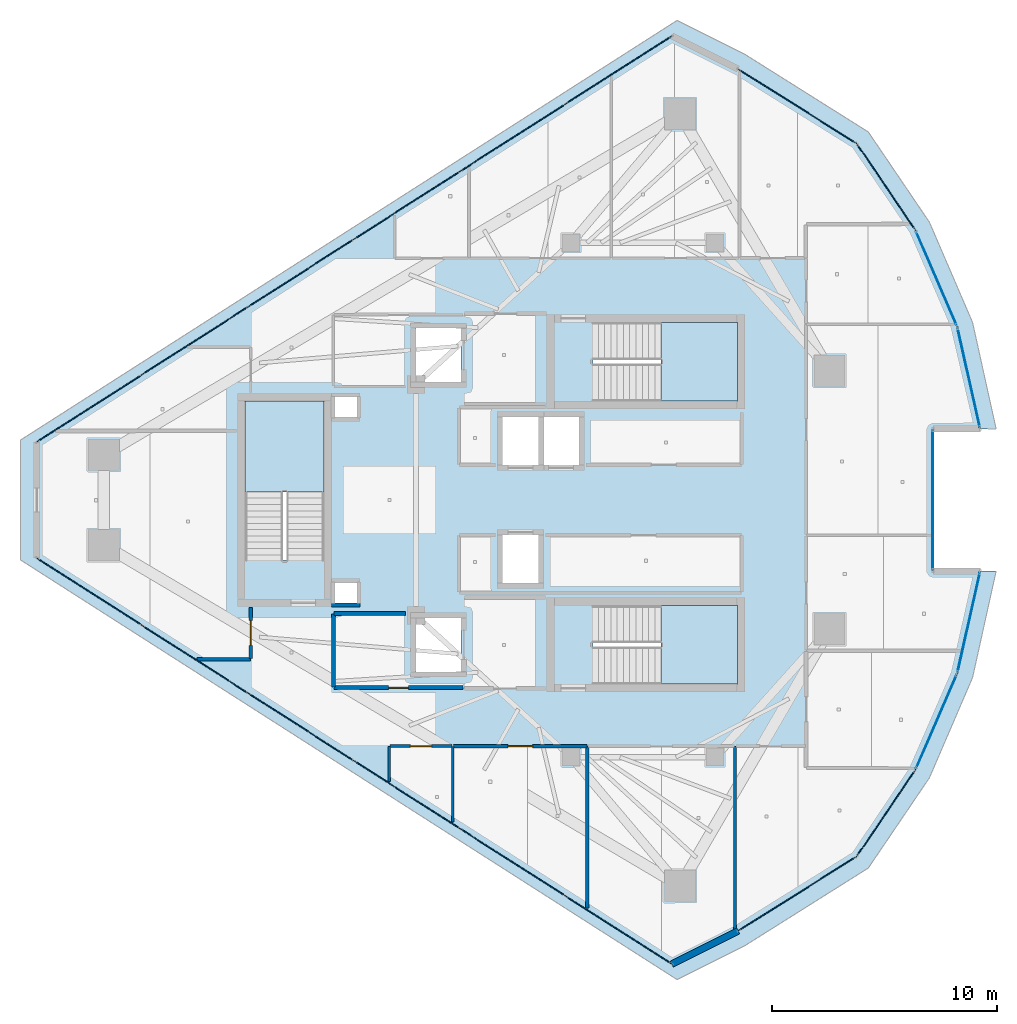
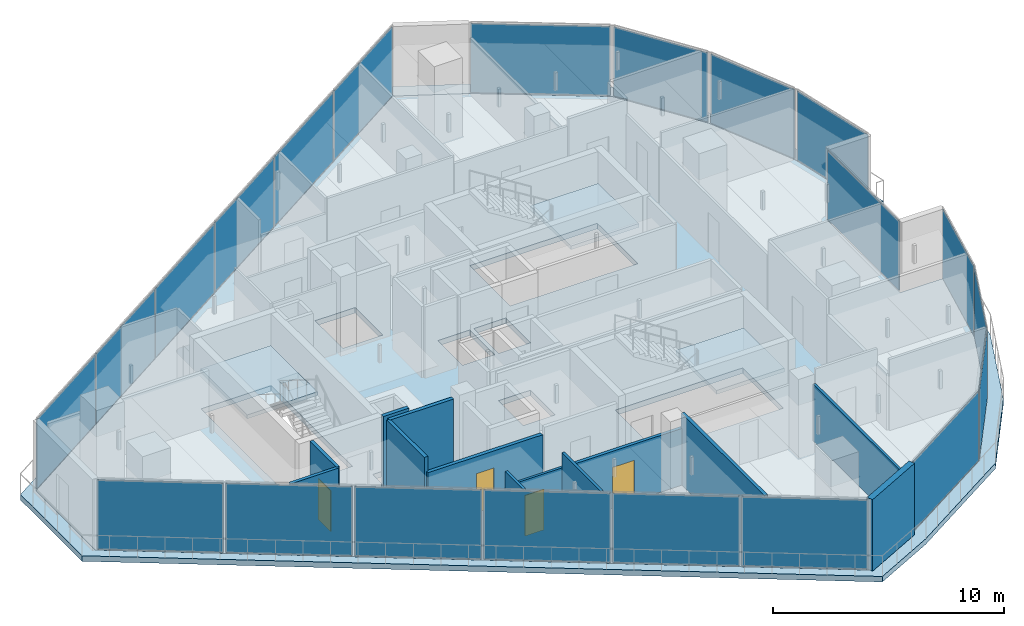
# One storey, part 17 of 26: 21 plates, 13 walls, 5 slabs, 4 doors, 4 openings, 14 elements without a shape of their own.
"""IFC4 building model written with IfcOpenShell, lengths in metres."""

import ifcopenshell
import ifcopenshell.guid

model = None  # the IFC model being written
_history = None  # IfcOwnerHistory: only IFC2X3 demands one
_inside = {}  # id of a spatial element -> (the spatial element, [elements in it])
_under = {}  # id of a project, library or spatial element -> (it, [spatial elements below it])
_declared = {}  # id of a project -> (the project, [libraries it declares])
_typed = {}  # id of a type object -> (the type object, [elements of that type])
_made_of = {}  # id of a material, layer set ... -> (it, [elements and type objects made of it])


def new_model(schema):
    """Start an empty IFC model of exactly this schema.

    Asked for "IFC4X3", IfcOpenShell would pick the latest addendum, in which some entities
    have other attributes; the version numbers below select the first issue.
    IFC2X3 requires an IfcOwnerHistory on every rooted entity: one is made here for all.
    """
    global model, _history
    if schema == "IFC4X3":
        model = ifcopenshell.file(schema_version=(4, 3, 0, 0))
    else:
        model = ifcopenshell.file(schema=schema)
    _inside.clear()
    _under.clear()
    _declared.clear()
    _typed.clear()
    _made_of.clear()
    _history = None
    if model.schema == "IFC2X3":
        org = make("IfcOrganization", Name="unknown")
        user = make(
            "IfcPersonAndOrganization",
            ThePerson=make("IfcPerson", FamilyName="unknown"),
            TheOrganization=org,
        )
        app = make(
            "IfcApplication",
            ApplicationDeveloper=org,
            Version="unknown",
            ApplicationFullName="unknown",
            ApplicationIdentifier="unknown",
        )
        _history = make(
            "IfcOwnerHistory",
            OwningUser=user,
            OwningApplication=app,
            ChangeAction="ADDED",
            CreationDate=0,
        )
    return model


def make(cls, **values):
    """One entity of the class cls with the attributes given. An attribute that is None is left unset."""
    return model.create_entity(
        cls, **{name: value for name, value in values.items() if value is not None}
    )


def rooted(cls, **values):
    """An entity with a GlobalId (a new one), such as an element, a storey or a relation."""
    return make(cls, GlobalId=ifcopenshell.guid.new(), OwnerHistory=_history, **values)


def si_unit(unit_type, name, prefix=None):
    """IfcSIUnit, for example si_unit("LENGTHUNIT", "METRE", prefix="MILLI")."""
    return make("IfcSIUnit", UnitType=unit_type, Prefix=prefix, Name=name)


def assignment(units):
    """IfcUnitAssignment: the units of a project."""
    return None if units is None else make("IfcUnitAssignment", Units=units)


def point(xyz):
    """IfcCartesianPoint."""
    return None if xyz is None else make("IfcCartesianPoint", Coordinates=xyz)


def direction(xyz):
    """IfcDirection."""
    return None if xyz is None else make("IfcDirection", DirectionRatios=xyz)


def frame(location, z_axis=None, x_axis=None):
    """IfcAxis2Placement3D, a coordinate frame: its origin and axes. An axis left out is left unset."""
    return make(
        "IfcAxis2Placement3D",
        Location=point(location),
        Axis=direction(z_axis),
        RefDirection=direction(x_axis),
    )


def frame_2d(location, x_axis=None):
    """IfcAxis2Placement2D, a coordinate frame in the plane: its origin and x axis."""
    return make(
        "IfcAxis2Placement2D", Location=point(location), RefDirection=direction(x_axis)
    )


def origin():
    """The frame at (0, 0, 0) with its axes left unset."""
    return frame((0.0, 0.0, 0.0))


def origin_2d():
    """The frame at (0, 0) in the plane with its x axis left unset."""
    return frame_2d((0.0, 0.0))


def place(relative_to, where):
    """IfcLocalPlacement: puts the frame where relative to a parent placement (None: the world)."""
    return make(
        "IfcLocalPlacement", PlacementRelTo=relative_to, RelativePlacement=where
    )


def context(
    kind, dimensions, precision=None, world=None, true_north=None, identifier=None
):
    """IfcGeometricRepresentationContext, for example the 3D "Model" context."""
    return make(
        "IfcGeometricRepresentationContext",
        ContextIdentifier=identifier,
        ContextType=kind,
        CoordinateSpaceDimension=dimensions,
        Precision=precision,
        WorldCoordinateSystem=world,
        TrueNorth=true_north,
    )


def subcontext(parent, identifier, kind, view, scale=None):
    """IfcGeometricRepresentationSubContext, for example "Body" below "Model"."""
    return make(
        "IfcGeometricRepresentationSubContext",
        ContextIdentifier=identifier,
        ContextType=kind,
        ParentContext=parent,
        TargetScale=scale,
        TargetView=view,
    )


def project(units=None, contexts=None):
    """IfcProject with its units and contexts."""
    return rooted(
        "IfcProject",
        Name="project",
        RepresentationContexts=contexts,
        UnitsInContext=assignment(units),
    )


def spatial(cls, under=None, at=None, **own):
    """A site, building, storey or space (cls), placed at a placement, below another one or the project."""
    s = rooted(cls, ObjectPlacement=at, **own)
    if under is not None:
        _under.setdefault(under.id(), (under, []))[1].append(s)
    return s


def polyline(points):
    """IfcPolyline through the points."""
    return make("IfcPolyline", Points=[point(p) for p in points])


def profile(cls, at=None, kind="AREA", **sizes):
    """A parametric profile (cls). Its sizes go by their IFC names, for example OverallWidth=200.0."""
    return make(cls, ProfileType=kind, Position=at, **sizes)


def rectangle(**sizes):
    """IfcRectangleProfileDef."""
    return profile("IfcRectangleProfileDef", **sizes)


def outline(outer, holes=None, kind="AREA"):
    """IfcArbitraryClosedProfileDef: a profile drawn as a closed curve; with holes, ...WithVoids."""
    if holes is None:
        return make("IfcArbitraryClosedProfileDef", ProfileType=kind, OuterCurve=outer)
    return make(
        "IfcArbitraryProfileDefWithVoids",
        ProfileType=kind,
        OuterCurve=outer,
        InnerCurves=holes,
    )


def extrude(swept, where, along, depth):
    """IfcExtrudedAreaSolid: the profile swept, set in the frame where, extruded along a direction by depth."""
    return make(
        "IfcExtrudedAreaSolid",
        SweptArea=swept,
        Position=where,
        ExtrudedDirection=direction(along),
        Depth=depth,
    )


def shape(context_of_items, identifier, shape_type, items):
    """IfcShapeRepresentation: the items that make up one representation, for example the "Body"."""
    return make(
        "IfcShapeRepresentation",
        ContextOfItems=context_of_items,
        RepresentationIdentifier=identifier,
        RepresentationType=shape_type,
        Items=items,
    )


def material(Name=None, Category=None):
    """IfcMaterial."""
    return make("IfcMaterial", Name=Name, Category=Category)


def layer(
    of_material, thickness, ventilated=None, Name=None, Category=None, Priority=None
):
    """IfcMaterialLayer: one layer of a wall or slab, of a material (None: an air gap)."""
    return make(
        "IfcMaterialLayer",
        Material=of_material,
        LayerThickness=thickness,
        IsVentilated=ventilated,
        Name=Name,
        Category=Category,
        Priority=Priority,
    )


def layer_set(layers, Name=None):
    """IfcMaterialLayerSet."""
    return make("IfcMaterialLayerSet", MaterialLayers=layers, LayerSetName=Name)


def made_of(thing, what):
    """Note that an element or type object is made of a material, layer set ...; save() writes the relation."""
    if what is not None:
        _made_of.setdefault(what.id(), (what, []))[1].append(thing)
    return thing


def type_object(cls, material=None, **own):
    """A type object (cls), such as IfcWallType, which elements share."""
    return made_of(rooted(cls, **own), material)


def element(
    cls,
    number,
    at=None,
    inside=None,
    cuts=None,
    type_object=None,
    material=None,
    context=None,
    identifier="Body",
    shape_type=None,
    held_by="IfcProductDefinitionShape",
    body=None,
    shapes=None,
    **own,
):
    """One element of the class cls, such as IfcWall. Its Tag is "e" and its number.

    at: its placement. inside: the storey or other place that contains it. cuts: it is an
    opening in that element (IfcRelVoidsElement). A single representation is given by context,
    identifier, shape_type and body (its items); several are given by shapes. held_by: the class
    of the entity that holds the representations. save() writes the other relations.
    """
    e = rooted(cls, Tag="e%d" % number, ObjectPlacement=at, **own)
    if body is not None:
        shapes = [shape(context, identifier, shape_type, body)]
    if shapes is not None:
        e.Representation = make(held_by, Representations=shapes)
    if inside is not None:
        _inside.setdefault(inside.id(), (inside, []))[1].append(e)
    if cuts is not None:
        rooted(
            "IfcRelVoidsElement", RelatingBuildingElement=cuts, RelatedOpeningElement=e
        )
    if type_object is not None:
        _typed.setdefault(type_object.id(), (type_object, []))[1].append(e)
    return made_of(e, material)


def fill(opening, filler):
    """IfcRelFillsElement: the door or window that sits in an opening."""
    return rooted(
        "IfcRelFillsElement",
        RelatingOpeningElement=opening,
        RelatedBuildingElement=filler,
    )


def aggregate(whole, parts):
    """IfcRelAggregates: a whole, such as a stair, and the parts it consists of."""
    return rooted("IfcRelAggregates", RelatingObject=whole, RelatedObjects=parts)


def save(model, path):
    """Write the relations noted so far, then the file.

    IfcRelAggregates (storeys below a building ...), IfcRelContainedInSpatialStructure (elements
    in a storey), IfcRelDefinesByType, IfcRelAssociatesMaterial and IfcRelDeclares: one each for
    every whole, place, type object, material and project.
    """
    for whole, parts in _under.values():
        aggregate(whole, parts)
    for where, things in _inside.values():
        rooted(
            "IfcRelContainedInSpatialStructure",
            RelatedElements=things,
            RelatingStructure=where,
        )
    for kind, things in _typed.values():
        rooted("IfcRelDefinesByType", RelatedObjects=things, RelatingType=kind)
    for what, things in _made_of.values():
        rooted("IfcRelAssociatesMaterial", RelatedObjects=things, RelatingMaterial=what)
    for by, libraries in _declared.values():
        rooted("IfcRelDeclares", RelatingContext=by, RelatedDefinitions=libraries)
    model.write(path)


model = new_model("IFC4")

# Units and contexts
model_context = context("Model", 3, precision=1e-05, world=origin(), true_north=direction((0.0, 1.0)))
body_context = subcontext(model_context, "Body", "Model", "MODEL_VIEW")
ifc_project = project(units=[si_unit("LENGTHUNIT", "METRE"), si_unit("AREAUNIT", "SQUARE_METRE"), si_unit("VOLUMEUNIT", "CUBIC_METRE"), si_unit("PLANEANGLEUNIT", "RADIAN"), si_unit("MASSUNIT", "GRAM", prefix="KILO")], contexts=[model_context])

# Site, building, storey
site_placement = place(None, origin())
site = spatial("IfcSite", under=ifc_project, at=site_placement, CompositionType="ELEMENT")
building_placement = place(site_placement, origin())
building = spatial("IfcBuilding", under=site, at=building_placement, Name="Qorvath Tower", CompositionType="ELEMENT")
storey_placement = place(building_placement, frame((0.0, 0.0, 322.800048828125)))
storey = spatial("IfcBuildingStorey", under=building, at=storey_placement, Name="L75", CompositionType="ELEMENT", Elevation=322.800048828125)

# Curtain wall, plates
ifc_material_1 = material(Name="Anodised aluminium and triple low-E glass", Category="aluminium")
ifc_layer_1 = layer(ifc_material_1, 0.179931640625)
ifc_layer_set_1 = layer_set([ifc_layer_1], Name="CW-SYS-4")
curtain_wall_type = type_object("IfcCurtainWallType", Name="CW-SYS-4", PredefinedType="NOTDEFINED", material=ifc_layer_set_1)
curtain_wall_1_placement = place(storey_placement, origin())
curtain_wall_1 = element("IfcCurtainWall", 1, at=curtain_wall_1_placement, inside=storey, type_object=curtain_wall_type, Name="Curtain Wall CW-4 CW-T-L75-2.1", PredefinedType="NOTDEFINED")
ifc_material_2 = material(Name="Acoustic laminated low-E glass", Category="glass")
ifc_layer_2 = layer(ifc_material_2, 0.0380859375)
ifc_layer_set_2 = layer_set([ifc_layer_2], Name="CWP-GLZ-38")
plate_type = type_object("IfcPlateType", Name="CWP-GLZ-38", PredefinedType="CURTAIN_PANEL", material=ifc_layer_set_2)
plate_1_placement = place(storey_placement, frame((-45.02099609375, -4.09814453125, 0.06494140625), z_axis=(0.0, 0.0, 1.0), x_axis=(0.842602743296, -0.538535622768, 0.0)))
plate_1 = element("IfcPlate", 2, at=plate_1_placement, type_object=plate_type, Name="CW-4 panel 1.1", PredefinedType="CURTAIN_PANEL", context=body_context, shape_type="SweptSolid", body=[
    extrude(rectangle(XDim=5.48095703125, YDim=0.0380859375, at=origin_2d()), origin(), (0.0, 0.0, 1.0), 3.650146484375),
])
plate_2_placement = place(storey_placement, frame((-40.32373046875, -7.100341796875, 0.06494140625), z_axis=(0.0, 0.0, 1.0), x_axis=(0.842602743296, -0.538535622768, 0.0)))
plate_2 = element("IfcPlate", 3, at=plate_2_placement, type_object=plate_type, Name="CW-4 panel 2.1", PredefinedType="CURTAIN_PANEL", context=body_context, shape_type="SweptSolid", body=[
    extrude(rectangle(XDim=5.5185546875, YDim=0.0380859375, at=origin_2d()), origin(), (0.0, 0.0, 1.0), 3.650146484375),
])
plate_3_placement = place(storey_placement, frame((-35.610595703125, -10.11279296875, 0.06494140625), z_axis=(0.0, 0.0, 1.0), x_axis=(0.842602743296, -0.538535622768, 0.0)))
plate_3 = element("IfcPlate", 4, at=plate_3_placement, type_object=plate_type, Name="CW-4 panel 3.1", PredefinedType="CURTAIN_PANEL", context=body_context, shape_type="SweptSolid", body=[
    extrude(rectangle(XDim=5.5185546875, YDim=0.0380859375, at=origin_2d()), origin(), (0.0, 0.0, 1.0), 3.650146484375),
])
plate_4_placement = place(storey_placement, frame((-30.8974609375, -13.125, 0.06494140625), z_axis=(0.0, 0.0, 1.0), x_axis=(0.842602743296, -0.538535622768, 0.0)))
plate_4 = element("IfcPlate", 5, at=plate_4_placement, type_object=plate_type, Name="CW-4 panel 4.1", PredefinedType="CURTAIN_PANEL", context=body_context, shape_type="SweptSolid", body=[
    extrude(rectangle(XDim=5.5185546875, YDim=0.0380859375, at=origin_2d()), origin(), (0.0, 0.0, 1.0), 3.650146484375),
])
plate_5_placement = place(storey_placement, frame((-26.184326171875, -16.137451171875, 0.06494140625), z_axis=(0.0, 0.0, 1.0), x_axis=(0.842602743296, -0.538535622768, 0.0)))
plate_5 = element("IfcPlate", 6, at=plate_5_placement, type_object=plate_type, Name="CW-4 panel 5.1", PredefinedType="CURTAIN_PANEL", context=body_context, shape_type="SweptSolid", body=[
    extrude(rectangle(XDim=5.5185546875, YDim=0.0380859375, at=origin_2d()), origin(), (0.0, 0.0, 1.0), 3.650146484375),
])
plate_6_placement = place(storey_placement, frame((-21.487060546875, -19.1396484375, 0.06494140625), z_axis=(0.0, 0.0, 1.0), x_axis=(0.842602743296, -0.538535622768, 0.0)))
plate_6 = element("IfcPlate", 7, at=plate_6_placement, type_object=plate_type, Name="CW-4 panel 6.1", PredefinedType="CURTAIN_PANEL", context=body_context, shape_type="SweptSolid", body=[
    extrude(rectangle(XDim=5.48095703125, YDim=0.0380859375, at=origin_2d()), origin(), (0.0, 0.0, 1.0), 3.650146484375),
])
aggregate(curtain_wall_1, [plate_1, plate_2, plate_3, plate_4, plate_5, plate_6])

# Curtain wall, plate
curtain_wall_2_placement = place(storey_placement, origin())
curtain_wall_2 = element("IfcCurtainWall", 8, at=curtain_wall_2_placement, inside=storey, type_object=curtain_wall_type, Name="Curtain Wall CW-4 CW-T-L75-4.1", PredefinedType="NOTDEFINED")
plate_7_placement = place(storey_placement, frame((-13.52880859375, -17.527587890625, 0.06494140625), z_axis=(0.0, 0.0, 1.0), x_axis=(0.847178241704, 0.531308786661, 0.0)))
plate_7 = element("IfcPlate", 9, at=plate_7_placement, type_object=plate_type, Name="CW-4 panel 1.1", PredefinedType="CURTAIN_PANEL", context=body_context, shape_type="SweptSolid", body=[
    extrude(rectangle(XDim=6.0712890625, YDim=0.0380859375, at=origin_2d()), origin(), (0.0, 0.0, 1.0), 3.650146484375),
])
aggregate(curtain_wall_2, [plate_7])

curtain_wall_3_placement = place(storey_placement, origin())
curtain_wall_3 = element("IfcCurtainWall", 10, at=curtain_wall_3_placement, inside=storey, type_object=curtain_wall_type, Name="Curtain Wall CW-4 CW-T-L75-5.1", PredefinedType="NOTDEFINED")
plate_8_placement = place(storey_placement, frame((-9.580810546875, -13.943603515625, 0.06494140625), z_axis=(0.0, 0.0, 1.0), x_axis=(0.56215775962, 0.827030019588, 0.0)))
plate_8 = element("IfcPlate", 11, at=plate_8_placement, type_object=plate_type, Name="CW-4 panel 1.1", PredefinedType="CURTAIN_PANEL", context=body_context, shape_type="SweptSolid", body=[
    extrude(rectangle(XDim=4.52099609375, YDim=0.0380859375, at=origin_2d()), origin(), (0.0, 0.0, 1.0), 3.650146484375),
])
aggregate(curtain_wall_3, [plate_8])

curtain_wall_4_placement = place(storey_placement, origin())
curtain_wall_4 = element("IfcCurtainWall", 12, at=curtain_wall_4_placement, inside=storey, type_object=curtain_wall_type, Name="Curtain Wall CW-4 CW-T-L75-6.1", PredefinedType="NOTDEFINED")
plate_9_placement = place(storey_placement, frame((-7.338623046875, -9.869384765625, 0.06494140625), z_axis=(0.0, 0.0, 1.0), x_axis=(0.397874188439, 0.917439987233, 0.0)))
plate_9 = element("IfcPlate", 13, at=plate_9_placement, type_object=plate_type, Name="CW-4 panel 1.1", PredefinedType="CURTAIN_PANEL", context=body_context, shape_type="SweptSolid", body=[
    extrude(rectangle(XDim=4.520751953125, YDim=0.0380859375, at=origin_2d()), origin(), (0.0, 0.0, 1.0), 3.650146484375),
])
aggregate(curtain_wall_4, [plate_9])

curtain_wall_5_placement = place(storey_placement, origin())
curtain_wall_5 = element("IfcCurtainWall", 14, at=curtain_wall_5_placement, inside=storey, type_object=curtain_wall_type, Name="Curtain Wall CW-4 CW-T-L75-7.1", PredefinedType="NOTDEFINED")
plate_10_placement = place(storey_placement, frame((-5.896484375, -5.4482421875, 0.06494140625), z_axis=(0.0, 0.0, 1.0), x_axis=(0.219633947805, 0.975582353762, 0.0)))
plate_10 = element("IfcPlate", 15, at=plate_10_placement, type_object=plate_type, Name="CW-4 panel 1.1", PredefinedType="CURTAIN_PANEL", context=body_context, shape_type="SweptSolid", body=[
    extrude(rectangle(XDim=4.52099609375, YDim=0.0380859375, at=origin_2d()), origin(), (0.0, 0.0, 1.0), 3.650146484375),
])
aggregate(curtain_wall_5, [plate_10])

curtain_wall_6_placement = place(storey_placement, origin())
curtain_wall_6 = element("IfcCurtainWall", 16, at=curtain_wall_6_placement, inside=storey, type_object=curtain_wall_type, Name="Curtain Wall CW-4 CW-T-L75-9.1", PredefinedType="NOTDEFINED")
plate_11_placement = place(storey_placement, frame((-7.496826171875, 0.0, 0.06494140625), z_axis=(0.0, 0.0, 1.0), x_axis=(0.0, 1.0, 0.0)))
plate_11 = element("IfcPlate", 17, at=plate_11_placement, type_object=plate_type, Name="CW-4 panel 1.1", PredefinedType="CURTAIN_PANEL", context=body_context, shape_type="SweptSolid", body=[
    extrude(rectangle(XDim=6.189697265625, YDim=0.0380859375, at=origin_2d()), origin(), (0.0, 0.0, 1.0), 3.650146484375),
])
aggregate(curtain_wall_6, [plate_11])

curtain_wall_7_placement = place(storey_placement, origin())
curtain_wall_7 = element("IfcCurtainWall", 18, at=curtain_wall_7_placement, inside=storey, type_object=curtain_wall_type, Name="Curtain Wall CW-4 CW-T-L75-11.1", PredefinedType="NOTDEFINED")
plate_12_placement = place(storey_placement, frame((-5.896484375, 5.4482421875, 0.06494140625), z_axis=(0.0, 0.0, 1.0), x_axis=(-0.219633947805, 0.975582353762, 0.0)))
plate_12 = element("IfcPlate", 19, at=plate_12_placement, type_object=plate_type, Name="CW-4 panel 1.1", PredefinedType="CURTAIN_PANEL", context=body_context, shape_type="SweptSolid", body=[
    extrude(rectangle(XDim=4.52099609375, YDim=0.0380859375, at=origin_2d()), origin(), (0.0, 0.0, 1.0), 3.650146484375),
])
aggregate(curtain_wall_7, [plate_12])

curtain_wall_8_placement = place(storey_placement, origin())
curtain_wall_8 = element("IfcCurtainWall", 20, at=curtain_wall_8_placement, inside=storey, type_object=curtain_wall_type, Name="Curtain Wall CW-4 CW-T-L75-12.1", PredefinedType="NOTDEFINED")
plate_13_placement = place(storey_placement, frame((-7.338623046875, 9.869384765625, 0.06494140625), z_axis=(0.0, 0.0, 1.0), x_axis=(-0.397874188439, 0.917439987233, 0.0)))
plate_13 = element("IfcPlate", 21, at=plate_13_placement, type_object=plate_type, Name="CW-4 panel 1.1", PredefinedType="CURTAIN_PANEL", context=body_context, shape_type="SweptSolid", body=[
    extrude(rectangle(XDim=4.520751953125, YDim=0.0380859375, at=origin_2d()), origin(), (0.0, 0.0, 1.0), 3.650146484375),
])
aggregate(curtain_wall_8, [plate_13])

curtain_wall_9_placement = place(storey_placement, origin())
curtain_wall_9 = element("IfcCurtainWall", 22, at=curtain_wall_9_placement, inside=storey, type_object=curtain_wall_type, Name="Curtain Wall CW-4 CW-T-L75-13.1", PredefinedType="NOTDEFINED")
plate_14_placement = place(storey_placement, frame((-9.580810546875, 13.943603515625, 0.06494140625), z_axis=(0.0, 0.0, 1.0), x_axis=(-0.56215775962, 0.827030019588, 0.0)))
plate_14 = element("IfcPlate", 23, at=plate_14_placement, type_object=plate_type, Name="CW-4 panel 1.1", PredefinedType="CURTAIN_PANEL", context=body_context, shape_type="SweptSolid", body=[
    extrude(rectangle(XDim=4.52099609375, YDim=0.0380859375, at=origin_2d()), origin(), (0.0, 0.0, 1.0), 3.650146484375),
])
aggregate(curtain_wall_9, [plate_14])

curtain_wall_10_placement = place(storey_placement, origin())
curtain_wall_10 = element("IfcCurtainWall", 24, at=curtain_wall_10_placement, inside=storey, type_object=curtain_wall_type, Name="Curtain Wall CW-4 CW-T-L75-14.1", PredefinedType="NOTDEFINED")
plate_15_placement = place(storey_placement, frame((-13.52880859375, 17.527587890625, 0.06494140625), z_axis=(0.0, 0.0, 1.0), x_axis=(-0.847178241704, 0.531308786661, 0.0)))
plate_15 = element("IfcPlate", 25, at=plate_15_placement, type_object=plate_type, Name="CW-4 panel 1.1", PredefinedType="CURTAIN_PANEL", context=body_context, shape_type="SweptSolid", body=[
    extrude(rectangle(XDim=6.0712890625, YDim=0.0380859375, at=origin_2d()), origin(), (0.0, 0.0, 1.0), 3.650146484375),
])
aggregate(curtain_wall_10, [plate_15])

# Curtain wall, plates
curtain_wall_11_placement = place(storey_placement, origin())
curtain_wall_11 = element("IfcCurtainWall", 26, at=curtain_wall_11_placement, inside=storey, type_object=curtain_wall_type, Name="Curtain Wall CW-4 CW-T-L75-16.1", PredefinedType="NOTDEFINED")
plate_16_placement = place(storey_placement, frame((-21.487060546875, 19.1396484375, 0.06494140625), z_axis=(0.0, 0.0, 1.0), x_axis=(-0.842602743296, -0.538535622768, 0.0)))
plate_16 = element("IfcPlate", 27, at=plate_16_placement, type_object=plate_type, Name="CW-4 panel 1.1", PredefinedType="CURTAIN_PANEL", context=body_context, shape_type="SweptSolid", body=[
    extrude(rectangle(XDim=5.48095703125, YDim=0.0380859375, at=origin_2d()), origin(), (0.0, 0.0, 1.0), 3.650146484375),
])
plate_17_placement = place(storey_placement, frame((-26.184326171875, 16.137451171875, 0.06494140625), z_axis=(0.0, 0.0, 1.0), x_axis=(-0.842602743296, -0.538535622768, 0.0)))
plate_17 = element("IfcPlate", 28, at=plate_17_placement, type_object=plate_type, Name="CW-4 panel 2.1", PredefinedType="CURTAIN_PANEL", context=body_context, shape_type="SweptSolid", body=[
    extrude(rectangle(XDim=5.5185546875, YDim=0.0380859375, at=origin_2d()), origin(), (0.0, 0.0, 1.0), 3.650146484375),
])
plate_18_placement = place(storey_placement, frame((-30.8974609375, 13.125, 0.06494140625), z_axis=(0.0, 0.0, 1.0), x_axis=(-0.842602743296, -0.538535622768, 0.0)))
plate_18 = element("IfcPlate", 29, at=plate_18_placement, type_object=plate_type, Name="CW-4 panel 3.1", PredefinedType="CURTAIN_PANEL", context=body_context, shape_type="SweptSolid", body=[
    extrude(rectangle(XDim=5.5185546875, YDim=0.0380859375, at=origin_2d()), origin(), (0.0, 0.0, 1.0), 3.650146484375),
])
plate_19_placement = place(storey_placement, frame((-35.610595703125, 10.11279296875, 0.06494140625), z_axis=(0.0, 0.0, 1.0), x_axis=(-0.842602743296, -0.538535622768, 0.0)))
plate_19 = element("IfcPlate", 30, at=plate_19_placement, type_object=plate_type, Name="CW-4 panel 4.1", PredefinedType="CURTAIN_PANEL", context=body_context, shape_type="SweptSolid", body=[
    extrude(rectangle(XDim=5.5185546875, YDim=0.0380859375, at=origin_2d()), origin(), (0.0, 0.0, 1.0), 3.650146484375),
])
plate_20_placement = place(storey_placement, frame((-40.32373046875, 7.100341796875, 0.06494140625), z_axis=(0.0, 0.0, 1.0), x_axis=(-0.842602743296, -0.538535622768, 0.0)))
plate_20 = element("IfcPlate", 31, at=plate_20_placement, type_object=plate_type, Name="CW-4 panel 5.1", PredefinedType="CURTAIN_PANEL", context=body_context, shape_type="SweptSolid", body=[
    extrude(rectangle(XDim=5.5185546875, YDim=0.0380859375, at=origin_2d()), origin(), (0.0, 0.0, 1.0), 3.650146484375),
])
plate_21_placement = place(storey_placement, frame((-45.02099609375, 4.09814453125, 0.06494140625), z_axis=(0.0, 0.0, 1.0), x_axis=(-0.842602743296, -0.538535622768, 0.0)))
plate_21 = element("IfcPlate", 32, at=plate_21_placement, type_object=plate_type, Name="CW-4 panel 6.1", PredefinedType="CURTAIN_PANEL", context=body_context, shape_type="SweptSolid", body=[
    extrude(rectangle(XDim=5.48095703125, YDim=0.0380859375, at=origin_2d()), origin(), (0.0, 0.0, 1.0), 3.650146484375),
])
aggregate(curtain_wall_11, [plate_16, plate_17, plate_18, plate_19, plate_20, plate_21])

# Slab
ifc_material_3 = material(Name="Concrete C50/60", Category="concrete")
ifc_layer_3 = layer(ifc_material_3, 0.2900390625)
ifc_layer_set_3 = layer_set([ifc_layer_3], Name="SL-EXEC-290")
slab_type_1 = type_object("IfcSlabType", Name="SL-EXEC-290", PredefinedType="FLOOR", material=ifc_layer_set_3)
slab_1_placement = place(storey_placement, frame((0.0, 0.0, -0.2900390625)))
element("IfcSlab", 33, at=slab_1_placement, inside=storey, type_object=slab_type_1, Name="Tower L75 Interior Floor Slab", PredefinedType="FLOOR", context=body_context, shape_type="SweptSolid", body=[
    extrude(outline(polyline([(-47.393310546875, 2.58203125), (-47.393310546875, -2.58203125), (-19.11474609375, -20.65576171875), (-16.1640625, -19.180419921875), (-10.8935546875, -15.875), (-8.267822265625, -12.011962890625), (-6.409423828125, -7.726806640625), (-5.383544921875, -3.169921875), (-7.496826171875, -3.169921875), (-7.496826171875, 3.169921875), (-5.383544921875, 3.169921875), (-6.409423828125, 7.726806640625), (-8.267822265625, 12.011962890625), (-10.8935546875, 15.875), (-16.1640625, 19.180419921875), (-19.11474609375, 20.65576171875), (-47.393310546875, 2.58203125)]), holes=[polyline([(-16.2451171875, -8.199951171875), (-22.625, -8.199951171875), (-22.625, -4.68994140625), (-16.2451171875, -4.68994140625), (-16.2451171875, -8.199951171875)]), polyline([(-22.625, 4.39990234375), (-22.625, 7.909912109375), (-16.2451171875, 7.909912109375), (-16.2451171875, 4.39990234375), (-22.625, 4.39990234375)]), polyline([(-23.25, 1.550048828125), (-24.85009765625, 1.550048828125), (-24.85009765625, 3.699951171875), (-23.25, 3.699951171875), (-23.25, 1.550048828125)]), polyline([(-26.64990234375, -3.699951171875), (-26.64990234375, -1.550048828125), (-25.050048828125, -1.550048828125), (-25.050048828125, -3.699951171875), (-26.64990234375, -3.699951171875)]), polyline([(-25.050048828125, 1.550048828125), (-26.64990234375, 1.550048828125), (-26.64990234375, 3.699951171875), (-25.050048828125, 3.699951171875), (-25.050048828125, 1.550048828125)]), polyline([(-28.5, -7.64990234375), (-30.5, -7.64990234375), (-30.5, -5.25), (-28.5, -5.25), (-28.5, -7.64990234375)]), polyline([(-30.5, 5.25), (-30.5, 7.64990234375), (-28.5, 7.64990234375), (-28.5, 5.25), (-30.5, 5.25)]), polyline([(-33.10009765625, -4.6201171875), (-34.14990234375, -4.6201171875), (-34.14990234375, -3.64990234375), (-33.10009765625, -3.64990234375), (-33.10009765625, -4.6201171875)]), polyline([(-33.10009765625, 3.64990234375), (-34.14990234375, 3.64990234375), (-34.14990234375, 4.6201171875), (-33.10009765625, 4.6201171875), (-33.10009765625, 3.64990234375)]), polyline([(-34.60009765625, -2.675048828125), (-38.110107421875, -2.675048828125), (-38.110107421875, 4.35498046875), (-34.60009765625, 4.35498046875), (-34.60009765625, -2.675048828125)])]), origin(), (0.0, 0.0, 1.0), 0.2900390625),
])

# Stair, slab
ifc_material_4 = material(Name="Concrete C50/60", Category="concrete")
stair_type = type_object("IfcStairType", Name="ST-H420", PredefinedType="HALF_TURN_STAIR", material=ifc_material_4)
stair_1_placement = place(storey_placement, origin())
stair_1 = element("IfcStair", 34, at=stair_1_placement, inside=storey, type_object=stair_type, Name="L75 Tower Exit Stair 1", PredefinedType="HALF_TURN_STAIR")
ifc_material_5 = material(Name="Concrete C50/60", Category="concrete")
ifc_layer_4 = layer(ifc_material_5, 0.199951171875)
ifc_layer_set_4 = layer_set([ifc_layer_4], Name="SL-LND-200")
slab_type_2 = type_object("IfcSlabType", Name="SL-LND-200", PredefinedType="LANDING", material=ifc_layer_set_4)
slab_2_placement = place(storey_placement, frame((0.0, 0.0, 1.89990234375)))
slab_2 = element("IfcSlab", 35, at=slab_2_placement, type_object=slab_type_2, Name="TS1 landing 1", PredefinedType="LANDING", context=body_context, shape_type="SweptSolid", body=[
    extrude(outline(polyline([(-19.590087890625, 4.39990234375), (-16.199951171875, 4.39990234375), (-16.199951171875, 7.909912109375), (-19.590087890625, 7.909912109375), (-19.590087890625, 4.39990234375)])), origin(), (0.0, 0.0, 1.0), 0.199951171875),
])
aggregate(stair_1, [slab_2])

stair_2_placement = place(storey_placement, origin())
stair_2 = element("IfcStair", 36, at=stair_2_placement, inside=storey, type_object=stair_type, Name="L75 Tower Exit Stair 2", PredefinedType="HALF_TURN_STAIR")
slab_3_placement = place(storey_placement, frame((0.0, 0.0, 1.89990234375)))
slab_3 = element("IfcSlab", 37, at=slab_3_placement, type_object=slab_type_2, Name="TS2 landing 1", PredefinedType="LANDING", context=body_context, shape_type="SweptSolid", body=[
    extrude(outline(polyline([(-19.590087890625, -8.199951171875), (-16.199951171875, -8.199951171875), (-16.199951171875, -4.68994140625), (-19.590087890625, -4.68994140625), (-19.590087890625, -8.199951171875)])), origin(), (0.0, 0.0, 1.0), 0.199951171875),
])
aggregate(stair_2, [slab_3])

stair_3_placement = place(storey_placement, origin())
stair_3 = element("IfcStair", 38, at=stair_3_placement, inside=storey, type_object=stair_type, Name="L75 Tower Exit Stair 3", PredefinedType="HALF_TURN_STAIR")
slab_4_placement = place(storey_placement, frame((0.0, 0.0, 1.89990234375)))
slab_4 = element("IfcSlab", 39, at=slab_4_placement, type_object=slab_type_2, Name="TS3 landing 1", PredefinedType="LANDING", context=body_context, shape_type="SweptSolid", body=[
    extrude(outline(polyline([(-34.60009765625, 0.360107421875), (-34.60009765625, 4.39990234375), (-38.110107421875, 4.39990234375), (-38.110107421875, 0.360107421875), (-34.60009765625, 0.360107421875)])), origin(), (0.0, 0.0, 1.0), 0.199951171875),
])
aggregate(stair_3, [slab_4])

# Slab
ifc_material_6 = material(Name="Precast concrete C45/55", Category="concrete")
ifc_layer_5 = layer(ifc_material_6, 0.2900390625)
ifc_layer_set_5 = layer_set([ifc_layer_5], Name="SL-LOG-290")
slab_type_3 = type_object("IfcSlabType", Name="SL-LOG-290", PredefinedType="FLOOR", material=ifc_layer_set_5)
slab_5_placement = place(storey_placement, frame((0.0, 0.0, -0.2900390625)))
element("IfcSlab", 40, at=slab_5_placement, inside=storey, type_object=slab_type_3, Name="Tower L75 Perimeter Loggia and Terrace Slab", PredefinedType="FLOOR", context=body_context, shape_type="SweptSolid", body=[
    extrude(outline(polyline([(-5.383544921875, -3.169921875), (-6.409423828125, -7.726806640625), (-8.267822265625, -12.011962890625), (-10.8935546875, -15.875), (-16.1640625, -19.180419921875), (-19.11474609375, -20.65576171875), (-47.393310546875, -2.58203125), (-47.393310546875, 2.58203125), (-19.11474609375, 20.65576171875), (-16.1640625, 19.180419921875), (-10.8935546875, 15.875), (-8.267822265625, 12.011962890625), (-6.409423828125, 7.726806640625), (-5.383544921875, 3.169921875), (-4.6796875, 3.169921875), (-5.728515625, 7.9091796875), (-7.648193359375, 12.367431640625), (-10.37060546875, 16.385986328125), (-15.83447265625, 19.822509765625), (-18.88427734375, 21.347412109375), (-48.10986328125, 2.66845703125), (-48.10986328125, -2.66845703125), (-18.88427734375, -21.347412109375), (-15.83447265625, -19.822509765625), (-10.37060546875, -16.385986328125), (-7.648193359375, -12.367431640625), (-5.728515625, -7.9091796875), (-4.6796875, -3.169921875), (-5.383544921875, -3.169921875)])), origin(), (0.0, 0.0, 1.0), 0.2900390625),
])

# Walls
ifc_material_7 = material(Name="Gypsum shaftliner on steel studs", Category="steel")
ifc_layer_6 = layer(ifc_material_7, 0.179931640625)
ifc_layer_set_6 = layer_set([ifc_layer_6], Name="FW-LOBBY")
wall_type_1 = type_object("IfcWallType", Name="FW-LOBBY", PredefinedType="PARTITIONING", material=ifc_layer_set_6)
wall_1_placement = place(storey_placement, frame((-32.989990234375, -4.675048828125, 0.0), z_axis=(0.0, 0.0, 1.0), x_axis=(-1.0, 0.0, 0.0)))
element("IfcWall", 41, at=wall_1_placement, inside=storey, type_object=wall_type_1, Name="MEP Riser Shaft Enclosure Wall S-L75-S", PredefinedType="PARTITIONING", context=body_context, shape_type="SweptSolid", body=[
    extrude(rectangle(XDim=1.27001953125, YDim=0.179931640625, at=frame_2d((0.635009765625, 0.0))), origin(), (0.0, 0.0, 1.0), 3.780029296875),
])
wall_2_placement = place(storey_placement, frame((-30.965087890625, -5.050048828125, 0.0), z_axis=(0.0, 0.0, 1.0), x_axis=(-1.0, 0.0, 0.0)))
element("IfcWall", 42, at=wall_2_placement, inside=storey, type_object=wall_type_1, Name="Interior Partition IW-T1-L75-018", PredefinedType="PARTITIONING", context=body_context, shape_type="SweptSolid", body=[
    extrude(rectangle(XDim=3.189697265625, YDim=0.179931640625, at=frame_2d((1.5947265625, 0.0))), origin(), (0.0, 0.0, 1.0), 3.780029296875),
])
wall_3_placement = place(storey_placement, frame((-34.179931640625, -5.074951171875, 0.0), z_axis=(0.0, 0.0, 1.0), x_axis=(0.0, -1.0, 0.0)))
element("IfcWall", 43, at=wall_3_placement, inside=storey, type_object=wall_type_1, Name="Interior Partition IW-T1-L75-019", PredefinedType="PARTITIONING", context=body_context, shape_type="SweptSolid", body=[
    extrude(rectangle(XDim=3.250244140625, YDim=0.179931640625, at=frame_2d((1.625, 0.0))), origin(), (0.0, 0.0, 1.0), 3.780029296875),
])

# Wall, opening, door
wall_4_placement = place(storey_placement, frame((-34.15478515625, -8.35009765625, 0.0), z_axis=(0.0, 0.0, 1.0), x_axis=(1.0, 0.0, 0.0)))
wall_4 = element("IfcWall", 44, at=wall_4_placement, inside=storey, type_object=wall_type_1, Name="Interior Partition IW-T1-L75-020", PredefinedType="PARTITIONING", context=body_context, shape_type="SweptSolid", body=[
    extrude(rectangle(XDim=5.741943359375, YDim=0.179931640625, at=frame_2d((2.87109375, 0.0))), origin(), (0.0, 0.0, 1.0), 3.0),
])
opening_1_placement = place(wall_4_placement, frame((2.430908203125, 0.0, 0.0)))
opening_1 = element("IfcOpeningElement", 45, at=opening_1_placement, cuts=wall_4, Name="Opening D-T1-L75-06", PredefinedType="OPENING", context=body_context, shape_type="SweptSolid", body=[
    extrude(rectangle(XDim=0.8798828125, YDim=2.10009765625, at=frame_2d((0.43994140625, 1.050048828125))), frame((0.0, 0.10009765625, 0.0), z_axis=(0.0, -1.0, 0.0), x_axis=(1.0, 0.0, 0.0)), (0.0, 0.0, 1.0), 0.199951171875),
])
ifc_material_8 = material(Name="Painted galvanised hollow metal", Category="steel")
door_type_1 = type_object("IfcDoorType", Name="FD-60N", OperationType="NOTDEFINED", PredefinedType="DOOR", material=ifc_material_8)
door_1_placement = place(opening_1_placement, origin())
door_1 = element("IfcDoor", 46, at=door_1_placement, inside=storey, type_object=door_type_1, Name="Core electrical and cleaner room L75 Door D-T1-L75-06", OperationType="SINGLE_SWING_RIGHT", OverallHeight=2.10009765625, OverallWidth=0.8798828125, PredefinedType="DOOR", context=body_context, shape_type="SweptSolid", body=[
    extrude(rectangle(XDim=0.8798828125, YDim=2.10009765625, at=frame_2d((0.43994140625, 1.050048828125))), frame((0.0, 0.02490234375, 0.0), z_axis=(0.0, -1.0, 0.0), x_axis=(1.0, 0.0, 0.0)), (0.0, 0.0, 1.0), 0.050048828125),
])
fill(opening_1, door_1)

ifc_material_9 = material(Name="Double acoustic gypsum board on steel studs", Category="steel")
ifc_layer_7 = layer(ifc_material_9, 0.159912109375)
ifc_layer_set_7 = layer_set([ifc_layer_7], Name="IW-ACOUSTIC-160")
wall_type_2 = type_object("IfcWallType", Name="IW-ACOUSTIC-160", PredefinedType="PARTITIONING", material=ifc_layer_set_7)
wall_5_placement = place(storey_placement, frame((-22.902099609375, -10.9580078125, 0.0), z_axis=(0.0, 0.0, 1.0), x_axis=(-1.0, 0.0, 0.0)))
wall_5 = element("IfcWall", 47, at=wall_5_placement, inside=storey, type_object=wall_type_2, Name="Interior Partition IW-T1-L75-034", PredefinedType="PARTITIONING", context=body_context, shape_type="SweptSolid", body=[
    extrude(rectangle(XDim=5.931884765625, YDim=0.159912109375, at=frame_2d((2.9658203125, 0.0))), origin(), (0.0, 0.0, 1.0), 3.0),
])
opening_2_placement = place(wall_5_placement, frame((2.416015625, 0.0, 0.0)))
opening_2 = element("IfcOpeningElement", 48, at=opening_2_placement, cuts=wall_5, Name="Opening D-T1-L75-12", PredefinedType="OPENING", context=body_context, shape_type="SweptSolid", body=[
    extrude(rectangle(XDim=1.10009765625, YDim=2.14990234375, at=frame_2d((0.550048828125, 1.074951171875))), frame((0.0, 0.08984375, 0.0), z_axis=(0.0, -1.0, 0.0), x_axis=(1.0, 0.0, 0.0)), (0.0, 0.0, 1.0), 0.179931640625),
])
ifc_material_10 = material(Name="Anodised aluminium acoustic framed glass", Category="aluminium")
door_type_2 = type_object("IfcDoorType", Name="D-03", OperationType="NOTDEFINED", PredefinedType="DOOR", material=ifc_material_10)
door_2_placement = place(opening_2_placement, origin())
door_2 = element("IfcDoor", 49, at=door_2_placement, inside=storey, type_object=door_type_2, Name="L75-06 Team Project Office Door D-T1-L75-12", OperationType="SINGLE_SWING_RIGHT", OverallHeight=2.14990234375, OverallWidth=1.10009765625, PredefinedType="DOOR", context=body_context, shape_type="SweptSolid", body=[
    extrude(rectangle(XDim=1.10009765625, YDim=2.14990234375, at=frame_2d((0.550048828125, 1.074951171875))), frame((0.0, 0.02490234375, 0.0), z_axis=(0.0, -1.0, 0.0), x_axis=(1.0, 0.0, 0.0)), (0.0, 0.0, 1.0), 0.050048828125),
])
fill(opening_2, door_2)

# Wall
wall_6_placement = place(storey_placement, frame((-22.87548828125, -18.172119140625, 0.0), z_axis=(0.0, 0.0, 1.0), x_axis=(-0.00023771521, 0.999999971746, 0.0)))
element("IfcWall", 50, at=wall_6_placement, inside=storey, type_object=wall_type_2, Name="Interior Partition IW-T1-L75-035", PredefinedType="PARTITIONING", context=body_context, shape_type="SweptSolid", body=[
    extrude(rectangle(XDim=7.189208984375, YDim=0.159912109375, at=frame_2d((3.5947265625, 0.0))), origin(), (0.0, 0.0, 1.0), 3.780029296875),
])

# Wall, opening, door
wall_7_placement = place(storey_placement, frame((-37.85791015625, -7.061767578125, 0.0), z_axis=(0.0, 0.0, 1.0), x_axis=(0.0, 1.0, 0.0)))
wall_7 = element("IfcWall", 51, at=wall_7_placement, inside=storey, type_object=wall_type_2, Name="Interior Partition IW-T1-L75-047", PredefinedType="PARTITIONING", context=body_context, shape_type="SweptSolid", body=[
    extrude(rectangle(XDim=2.278564453125, YDim=0.159912109375, at=frame_2d((1.13916015625, 0.0))), origin(), (0.0, 0.0, 1.0), 3.780029296875),
])
opening_3_placement = place(wall_7_placement, frame((0.58935546875, 0.0, 0.0)))
opening_3 = element("IfcOpeningElement", 52, at=opening_3_placement, cuts=wall_7, Name="Opening D-T1-L75-19", PredefinedType="OPENING", context=body_context, shape_type="SweptSolid", body=[
    extrude(rectangle(XDim=1.10009765625, YDim=2.14990234375, at=frame_2d((0.550048828125, 1.074951171875))), frame((0.0, 0.08984375, 0.0), z_axis=(0.0, -1.0, 0.0), x_axis=(1.0, 0.0, 0.0)), (0.0, 0.0, 1.0), 0.179931640625),
])
door_3_placement = place(opening_3_placement, origin())
door_3 = element("IfcDoor", 53, at=door_3_placement, inside=storey, type_object=door_type_2, Name="L75-13 Digital Visualization Suite Door D-T1-L75-19", OperationType="SINGLE_SWING_LEFT", OverallHeight=2.14990234375, OverallWidth=1.10009765625, PredefinedType="DOOR", context=body_context, shape_type="SweptSolid", body=[
    extrude(rectangle(XDim=1.10009765625, YDim=2.14990234375, at=frame_2d((0.550048828125, 1.074951171875))), frame((0.0, 0.02490234375, 0.0), z_axis=(0.0, -1.0, 0.0), x_axis=(1.0, 0.0, 0.0)), (0.0, 0.0, 1.0), 0.050048828125),
])
fill(opening_3, door_3)

# Wall
wall_8_placement = place(storey_placement, frame((-40.26513671875, -7.086669921875, 0.0), z_axis=(0.0, 0.0, 1.0), x_axis=(1.0, 0.0, 0.0)))
element("IfcWall", 54, at=wall_8_placement, inside=storey, type_object=wall_type_2, Name="Interior Partition IW-T1-L75-049", PredefinedType="PARTITIONING", context=body_context, shape_type="SweptSolid", body=[
    extrude(rectangle(XDim=2.38232421875, YDim=0.159912109375, at=frame_2d((1.191162109375, 0.0))), origin(), (0.0, 0.0, 1.0), 3.780029296875),
])

# Wall, opening, door
ifc_material_11 = material(Name="Gypsum board on metal studs with mineral wool", Category="gypsum")
ifc_layer_8 = layer(ifc_material_11, 0.125)
ifc_layer_set_8 = layer_set([ifc_layer_8], Name="IW-PART-125")
wall_type_3 = type_object("IfcWallType", Name="IW-PART-125", PredefinedType="PARTITIONING", material=ifc_layer_set_8)
wall_9_placement = place(storey_placement, frame((-28.891845703125, -10.9580078125, 0.0), z_axis=(0.0, 0.0, 1.0), x_axis=(-1.0, 0.0, 0.0)))
wall_9 = element("IfcWall", 55, at=wall_9_placement, inside=storey, type_object=wall_type_3, Name="Interior Partition IW-T1-L75-031", PredefinedType="PARTITIONING", context=body_context, shape_type="SweptSolid", body=[
    extrude(rectangle(XDim=2.779541015625, YDim=0.125, at=frame_2d((1.3896484375, 0.0))), origin(), (0.0, 0.0, 1.0), 3.0),
])
opening_4_placement = place(wall_9_placement, frame((0.914794921875, 0.0, 0.0)))
opening_4 = element("IfcOpeningElement", 56, at=opening_4_placement, cuts=wall_9, Name="Opening D-T1-L75-11", PredefinedType="OPENING", context=body_context, shape_type="SweptSolid", body=[
    extrude(rectangle(XDim=0.949951171875, YDim=2.14990234375, at=frame_2d((0.47509765625, 1.074951171875))), frame((0.0, 0.072509765625, 0.0), z_axis=(0.0, -1.0, 0.0), x_axis=(1.0, 0.0, 0.0)), (0.0, 0.0, 1.0), 0.14501953125),
])
ifc_material_12 = material(Name="Solid-core American white oak veneer", Category="wood")
door_type_3 = type_object("IfcDoorType", Name="D-01", OperationType="NOTDEFINED", PredefinedType="DOOR", material=ifc_material_12)
door_4_placement = place(opening_4_placement, origin())
door_4 = element("IfcDoor", 57, at=door_4_placement, inside=storey, type_object=door_type_3, Name="L75-05 Quantitative Research Studio Door D-T1-L75-11", OperationType="SINGLE_SWING_LEFT", OverallHeight=2.14990234375, OverallWidth=0.949951171875, PredefinedType="DOOR", context=body_context, shape_type="SweptSolid", body=[
    extrude(rectangle(XDim=0.949951171875, YDim=2.14990234375, at=frame_2d((0.47509765625, 1.074951171875))), frame((0.0, 0.02490234375, 0.0), z_axis=(0.0, -1.0, 0.0), x_axis=(1.0, 0.0, 0.0)), (0.0, 0.0, 1.0), 0.050048828125),
])
fill(opening_4, door_4)

# Walls
wall_10_placement = place(storey_placement, frame((-31.6962890625, -10.98291015625, 0.0), z_axis=(0.0, 0.0, 1.0), x_axis=(0.0, -1.0, 0.0)))
element("IfcWall", 58, at=wall_10_placement, inside=storey, type_object=wall_type_3, Name="Interior Partition IW-T1-L75-032", PredefinedType="PARTITIONING", context=body_context, shape_type="SweptSolid", body=[
    extrude(rectangle(XDim=1.551513671875, YDim=0.125, at=frame_2d((0.77587890625, 0.0))), origin(), (0.0, 0.0, 1.0), 3.780029296875),
])
wall_11_placement = place(storey_placement, frame((-28.866943359375, -14.3427734375, 0.0), z_axis=(0.0, 0.0, 1.0), x_axis=(0.0, 1.0, 0.0)))
element("IfcWall", 59, at=wall_11_placement, inside=storey, type_object=wall_type_3, Name="Interior Partition IW-T1-L75-033", PredefinedType="PARTITIONING", context=body_context, shape_type="SweptSolid", body=[
    extrude(rectangle(XDim=3.35986328125, YDim=0.125, at=frame_2d((1.679931640625, 0.0))), origin(), (0.0, 0.0, 1.0), 3.780029296875),
])
wall_12_placement = place(storey_placement, frame((-16.29736328125, -19.1669921875, 0.0), z_axis=(0.0, 0.0, 1.0), x_axis=(8.9493467e-05, 0.999999995995, 0.0)))
element("IfcWall", 60, at=wall_12_placement, inside=storey, type_object=wall_type_3, Name="Interior Partition IW-T1-L75-037", PredefinedType="PARTITIONING", context=body_context, shape_type="SweptSolid", body=[
    extrude(rectangle(XDim=8.18408203125, YDim=0.125, at=frame_2d((4.092041015625, 0.0))), origin(), (0.0, 0.0, 1.0), 3.0),
])
ifc_material_13 = material(Name="Precast concrete C45/55", Category="concrete")
ifc_layer_9 = layer(ifc_material_13, 0.300048828125)
ifc_layer_set_9 = layer_set([ifc_layer_9], Name="WL-EW-LOG-300")
wall_type_4 = type_object("IfcWallType", Name="WL-EW-LOG-300", PredefinedType="SOLIDWALL", material=ifc_layer_set_9)
wall_13_placement = place(storey_placement, frame((-16.1640625, -19.180419921875, 0.0), z_axis=(0.0, 0.0, 1.0), x_axis=(-0.894427191, -0.4472135955, 0.0)))
element("IfcWall", 61, at=wall_13_placement, inside=storey, type_object=wall_type_4, Name="Tower Precast Loggia Wall L75-3.1", PredefinedType="SOLIDWALL", context=body_context, shape_type="SweptSolid", body=[
    extrude(rectangle(XDim=3.299072265625, YDim=0.300048828125, at=frame_2d((1.6494140625, 0.0))), origin(), (0.0, 0.0, 1.0), 3.780029296875),
])

save(model, "model.ifc")
